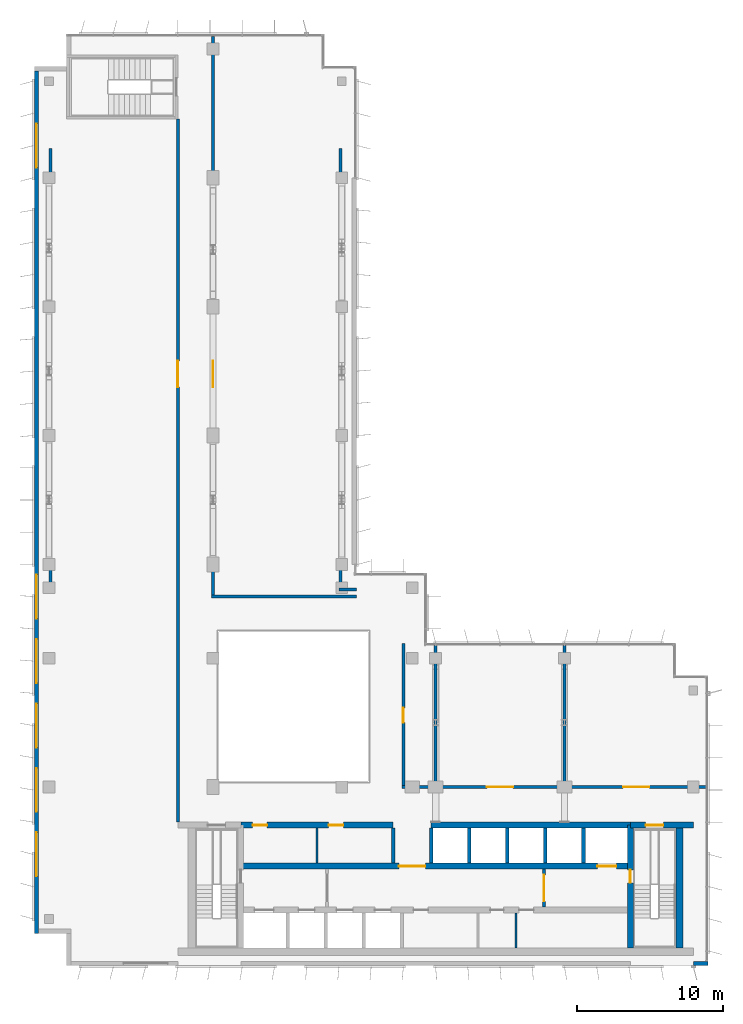
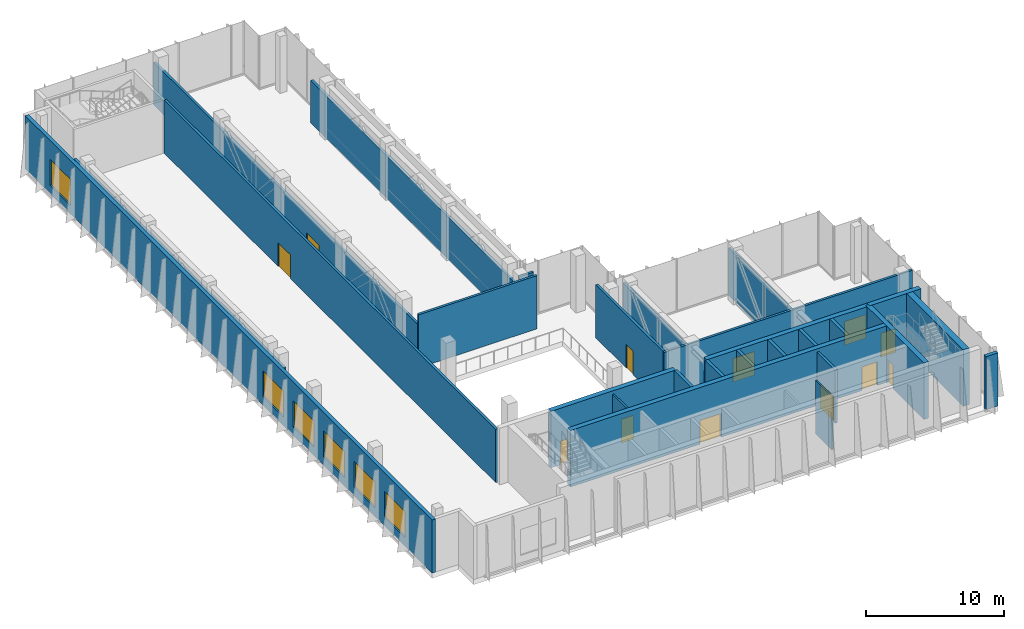
# One storey, part 8 of 13: 27 walls, 12 doors, 6 windows, 18 openings.
"""IFC4 building model written with IfcOpenShell, lengths in metres."""

from ifc_helpers import new_model, si_unit, direction, frame, frame_2d, origin, place, context, subcontext, project, spatial, rectangle, extrude, material, layer, layer_set, type_object, element, fill, save


model = new_model("IFC4")

# Units and contexts
model_context = context("Model", 3, precision=1e-05, world=origin(), true_north=direction((0.0, 1.0)))
body_context = subcontext(model_context, "Body", "Model", "MODEL_VIEW")
ifc_project = project(units=[si_unit("LENGTHUNIT", "METRE"), si_unit("AREAUNIT", "SQUARE_METRE"), si_unit("VOLUMEUNIT", "CUBIC_METRE"), si_unit("PLANEANGLEUNIT", "RADIAN"), si_unit("MASSUNIT", "GRAM", prefix="KILO")], contexts=[model_context])

# Site, building, storey
site_placement = place(None, origin())
site = spatial("IfcSite", under=ifc_project, at=site_placement, CompositionType="ELEMENT")
building_placement = place(site_placement, origin())
building = spatial("IfcBuilding", under=site, at=building_placement, Name="Kemantara Hotel Tower", CompositionType="ELEMENT")
storey_placement = place(building_placement, frame((0.0, 0.0, 256.10009765625)))
storey = spatial("IfcBuildingStorey", under=building, at=storey_placement, Name="L64", CompositionType="ELEMENT", Elevation=256.10009765625)

# Wall, openings, windows
ifc_material_1 = material(Name="Bronze anodised aluminium cladding on insulated steel stud wall", Category="steel")
ifc_layer_1 = layer(ifc_material_1, 0.300048828125)
ifc_layer_set_1 = layer_set([ifc_layer_1], Name="Bronze anodised aluminium cladding on insulated steel stud wall")
wall_type_1 = type_object("IfcWallType", Name="BRONZE METAL-CLAD EXTERNAL WALL 300", PredefinedType="STANDARD", material=ifc_layer_set_1)
wall_1_placement = place(storey_placement, frame((0.14990234375, 61.10009765625, 0.0), z_axis=(0.0, 0.0, 1.0), x_axis=(0.0, -1.0, 0.0)))
wall_1 = element("IfcWall", 1, at=wall_1_placement, inside=storey, type_object=wall_type_1, Name="EXTERNAL WALL L64 T4-R05", PredefinedType="STANDARD", context=body_context, shape_type="SweptSolid", body=[
    extrude(rectangle(XDim=58.900146484375, YDim=0.300048828125, at=frame_2d((29.4501953125, 0.0))), origin(), (0.0, 0.0, 1.0), 4.699951171875),
])
opening_1_placement = place(wall_1_placement, frame((3.60009765625, 0.0, 0.75)))
opening_1 = element("IfcOpeningElement", 2, at=opening_1_placement, cuts=wall_1, Name="Opening W1", PredefinedType="OPENING", context=body_context, shape_type="SweptSolid", body=[
    extrude(rectangle(XDim=3.0, YDim=2.300048828125, at=frame_2d((1.5, 1.14990234375))), frame((0.0, 0.159912109375, 0.0), z_axis=(0.0, -1.0, 0.0), x_axis=(1.0, 0.0, 0.0)), (0.0, 0.0, 1.0), 0.320068359375),
])
opening_2_placement = place(wall_1_placement, frame((34.39990234375, 0.0, 0.75)))
opening_2 = element("IfcOpeningElement", 3, at=opening_2_placement, cuts=wall_1, Name="Opening W1", PredefinedType="OPENING", context=body_context, shape_type="SweptSolid", body=[
    extrude(rectangle(XDim=3.0, YDim=2.300048828125, at=frame_2d((1.5, 1.14990234375))), frame((0.0, 0.159912109375, 0.0), z_axis=(0.0, -1.0, 0.0), x_axis=(1.0, 0.0, 0.0)), (0.0, 0.0, 1.0), 0.320068359375),
])
opening_3_placement = place(wall_1_placement, frame((38.800048828125, 0.0, 0.75)))
opening_3 = element("IfcOpeningElement", 4, at=opening_3_placement, cuts=wall_1, Name="Opening W1", PredefinedType="OPENING", context=body_context, shape_type="SweptSolid", body=[
    extrude(rectangle(XDim=3.0, YDim=2.300048828125, at=frame_2d((1.5, 1.14990234375))), frame((0.0, 0.159912109375, 0.0), z_axis=(0.0, -1.0, 0.0), x_axis=(1.0, 0.0, 0.0)), (0.0, 0.0, 1.0), 0.320068359375),
])
opening_4_placement = place(wall_1_placement, frame((43.199951171875, 0.0, 0.75)))
opening_4 = element("IfcOpeningElement", 5, at=opening_4_placement, cuts=wall_1, Name="Opening W1", PredefinedType="OPENING", context=body_context, shape_type="SweptSolid", body=[
    extrude(rectangle(XDim=3.0, YDim=2.300048828125, at=frame_2d((1.5, 1.14990234375))), frame((0.0, 0.159912109375, 0.0), z_axis=(0.0, -1.0, 0.0), x_axis=(1.0, 0.0, 0.0)), (0.0, 0.0, 1.0), 0.320068359375),
])
opening_5_placement = place(wall_1_placement, frame((47.60009765625, 0.0, 0.75)))
opening_5 = element("IfcOpeningElement", 6, at=opening_5_placement, cuts=wall_1, Name="Opening W1", PredefinedType="OPENING", context=body_context, shape_type="SweptSolid", body=[
    extrude(rectangle(XDim=3.0, YDim=2.300048828125, at=frame_2d((1.5, 1.14990234375))), frame((0.0, 0.159912109375, 0.0), z_axis=(0.0, -1.0, 0.0), x_axis=(1.0, 0.0, 0.0)), (0.0, 0.0, 1.0), 0.320068359375),
])
opening_6_placement = place(wall_1_placement, frame((52.0, 0.0, 0.75)))
opening_6 = element("IfcOpeningElement", 7, at=opening_6_placement, cuts=wall_1, Name="Opening W1", PredefinedType="OPENING", context=body_context, shape_type="SweptSolid", body=[
    extrude(rectangle(XDim=3.0, YDim=2.300048828125, at=frame_2d((1.5, 1.14990234375))), frame((0.0, 0.159912109375, 0.0), z_axis=(0.0, -1.0, 0.0), x_axis=(1.0, 0.0, 0.0)), (0.0, 0.0, 1.0), 0.320068359375),
])
ifc_material_2 = material(Name="Low-E tinted double insulated glass in bronze anodised aluminium frame", Category="aluminium")
window_type = type_object("IfcWindowType", Name="CHICAGO WINDOW, TRIPLE PANEL 3000x2300", PartitioningType="TRIPLE_PANEL_VERTICAL", PredefinedType="WINDOW", material=ifc_material_2)
window_1_placement = place(opening_1_placement, origin())
window_1 = element("IfcWindow", 8, at=window_1_placement, inside=storey, type_object=window_type, Name="CHICAGO WINDOW L64 T4-R05-54", OverallHeight=2.300048828125, OverallWidth=3.0, PartitioningType="SINGLE_PANEL", PredefinedType="WINDOW", context=body_context, shape_type="SweptSolid", body=[
    extrude(rectangle(XDim=3.0, YDim=2.300048828125, at=frame_2d((1.5, 1.14990234375))), frame((0.0, 0.030029296875, 0.0), z_axis=(0.0, -1.0, 0.0), x_axis=(1.0, 0.0, 0.0)), (0.0, 0.0, 1.0), 0.06005859375),
])
fill(opening_1, window_1)
window_2_placement = place(opening_2_placement, origin())
window_2 = element("IfcWindow", 9, at=window_2_placement, inside=storey, type_object=window_type, Name="CHICAGO WINDOW L64 T4-R05-362", OverallHeight=2.300048828125, OverallWidth=3.0, PartitioningType="SINGLE_PANEL", PredefinedType="WINDOW", context=body_context, shape_type="SweptSolid", body=[
    extrude(rectangle(XDim=3.0, YDim=2.300048828125, at=frame_2d((1.5, 1.14990234375))), frame((0.0, 0.030029296875, 0.0), z_axis=(0.0, -1.0, 0.0), x_axis=(1.0, 0.0, 0.0)), (0.0, 0.0, 1.0), 0.06005859375),
])
fill(opening_2, window_2)
window_3_placement = place(opening_3_placement, origin())
window_3 = element("IfcWindow", 10, at=window_3_placement, inside=storey, type_object=window_type, Name="CHICAGO WINDOW L64 T4-R05-406", OverallHeight=2.300048828125, OverallWidth=3.0, PartitioningType="SINGLE_PANEL", PredefinedType="WINDOW", context=body_context, shape_type="SweptSolid", body=[
    extrude(rectangle(XDim=3.0, YDim=2.300048828125, at=frame_2d((1.5, 1.14990234375))), frame((0.0, 0.030029296875, 0.0), z_axis=(0.0, -1.0, 0.0), x_axis=(1.0, 0.0, 0.0)), (0.0, 0.0, 1.0), 0.06005859375),
])
fill(opening_3, window_3)
window_4_placement = place(opening_4_placement, origin())
window_4 = element("IfcWindow", 11, at=window_4_placement, inside=storey, type_object=window_type, Name="CHICAGO WINDOW L64 T4-R05-450", OverallHeight=2.300048828125, OverallWidth=3.0, PartitioningType="SINGLE_PANEL", PredefinedType="WINDOW", context=body_context, shape_type="SweptSolid", body=[
    extrude(rectangle(XDim=3.0, YDim=2.300048828125, at=frame_2d((1.5, 1.14990234375))), frame((0.0, 0.030029296875, 0.0), z_axis=(0.0, -1.0, 0.0), x_axis=(1.0, 0.0, 0.0)), (0.0, 0.0, 1.0), 0.06005859375),
])
fill(opening_4, window_4)
window_5_placement = place(opening_5_placement, origin())
window_5 = element("IfcWindow", 12, at=window_5_placement, inside=storey, type_object=window_type, Name="CHICAGO WINDOW L64 T4-R05-494", OverallHeight=2.300048828125, OverallWidth=3.0, PartitioningType="SINGLE_PANEL", PredefinedType="WINDOW", context=body_context, shape_type="SweptSolid", body=[
    extrude(rectangle(XDim=3.0, YDim=2.300048828125, at=frame_2d((1.5, 1.14990234375))), frame((0.0, 0.030029296875, 0.0), z_axis=(0.0, -1.0, 0.0), x_axis=(1.0, 0.0, 0.0)), (0.0, 0.0, 1.0), 0.06005859375),
])
fill(opening_5, window_5)
window_6_placement = place(opening_6_placement, origin())
window_6 = element("IfcWindow", 13, at=window_6_placement, inside=storey, type_object=window_type, Name="CHICAGO WINDOW L64 T4-R05-538", OverallHeight=2.300048828125, OverallWidth=3.0, PartitioningType="SINGLE_PANEL", PredefinedType="WINDOW", context=body_context, shape_type="SweptSolid", body=[
    extrude(rectangle(XDim=3.0, YDim=2.300048828125, at=frame_2d((1.5, 1.14990234375))), frame((0.0, 0.030029296875, 0.0), z_axis=(0.0, -1.0, 0.0), x_axis=(1.0, 0.0, 0.0)), (0.0, 0.0, 1.0), 0.06005859375),
])
fill(opening_6, window_6)

# Walls
wall_2_placement = place(storey_placement, frame((45.0, 0.14990234375, 0.0), z_axis=(0.0, 0.0, 1.0), x_axis=(1.0, 0.0, 0.0)))
element("IfcWall", 14, at=wall_2_placement, inside=storey, type_object=wall_type_1, Name="EXTERNAL WALL L64 T4-R08-3", PredefinedType="STANDARD", context=body_context, shape_type="SweptSolid", body=[
    extrude(rectangle(XDim=1.0, YDim=0.300048828125, at=frame_2d((0.5, 0.0))), origin(), (0.0, 0.0, 1.0), 4.699951171875),
])
ifc_material_3 = material(Name="Concrete fc 60 MPa", Category="concrete")
ifc_layer_2 = layer(ifc_material_3, 0.25)
ifc_layer_set_2 = layer_set([ifc_layer_2], Name="Concrete fc 60 MPa")
wall_type_2 = type_object("IfcWallType", Name="CORE WALL 250 FC60", PredefinedType="SHEAR", material=ifc_layer_set_2)
for number, where, z_axis, x_axis, name in (
    (15, (24.5, 7.0, 0.0), (0.0, 0.0, 1.0), (0.0, 1.0, 0.0), "CORE WALL CW-DN24.5"),
    (16, (27.10009765625, 7.0, 0.0), (0.0, 0.0, 1.0), (0.0, 1.0, 0.0), "CORE WALL CW-DN27.1"),
    (17, (29.699951171875, 7.0, 0.0), (0.0, 0.0, 1.0), (0.0, 1.0, 0.0), "CORE WALL CW-DN29.7"),
    (18, (32.300048828125, 7.0, 0.0), (0.0, 0.0, 1.0), (0.0, 1.0, 0.0), "CORE WALL CW-DN32.3"),
    (19, (34.89990234375, 7.0, 0.0), (0.0, 0.0, 1.0), (0.0, 1.0, 0.0), "CORE WALL CW-DN34.9"),
    (20, (37.5, 7.0, 0.0), (0.0, 0.0, 1.0), (0.0, 1.0, 0.0), "CORE WALL CW-DN37.5"),
):
    element("IfcWall", number, at=place(storey_placement, frame(where, z_axis=z_axis, x_axis=x_axis)), inside=storey, type_object=wall_type_2, Name=name, PredefinedType="SHEAR", context=body_context, shape_type="SweptSolid", body=[
        extrude(rectangle(XDim=2.39990234375, YDim=0.25, at=frame_2d((1.199951171875, 0.0))), origin(), (0.0, 0.0, 1.0), 5.0),
    ])

# Wall, opening, door
ifc_layer_3 = layer(ifc_material_3, 0.39990234375)
ifc_layer_set_3 = layer_set([ifc_layer_3], Name="Concrete fc 60 MPa")
wall_type_3 = type_object("IfcWallType", Name="CORE WALL 400 FC60", PredefinedType="SHEAR", material=ifc_layer_set_3)
wall_3_placement = place(storey_placement, frame((40.699951171875, 9.60009765625, 0.0), z_axis=(0.0, 0.0, 1.0), x_axis=(1.0, 0.0, 0.0)))
wall_3 = element("IfcWall", 21, at=wall_3_placement, inside=storey, type_object=wall_type_3, Name="CORE WALL CW-N2", PredefinedType="SHEAR", context=body_context, shape_type="SweptSolid", body=[
    extrude(rectangle(XDim=4.300048828125, YDim=0.39990234375, at=frame_2d((2.14990234375, 0.0))), origin(), (0.0, 0.0, 1.0), 5.0),
])
opening_7_placement = place(wall_3_placement, frame((1.050048828125, 0.0, 0.0)))
opening_7 = element("IfcOpeningElement", 22, at=opening_7_placement, cuts=wall_3, Name="Opening C38-ST2-C", PredefinedType="OPENING", context=body_context, shape_type="SweptSolid", body=[
    extrude(rectangle(XDim=1.199951171875, YDim=2.10009765625, at=frame_2d((0.60009765625, 1.050048828125))), frame((0.0, 0.2099609375, 0.0), z_axis=(0.0, -1.0, 0.0), x_axis=(1.0, 0.0, 0.0)), (0.0, 0.0, 1.0), 0.419921875),
])
ifc_material_4 = material(Name="Steel fire door", Category="steel")
door_type_1 = type_object("IfcDoorType", Name="Fire door FD90 1200 x 2100", OperationType="NOTDEFINED", PredefinedType="DOOR", material=ifc_material_4)
door_1_placement = place(opening_7_placement, frame((1.199951171875, 0.0, 0.0), z_axis=(0.0, 0.0, 1.0), x_axis=(-1.0, 0.0, 0.0)))
door_1 = element("IfcDoor", 23, at=door_1_placement, inside=storey, type_object=door_type_1, Name="Stair ST2 door to corridor", OperationType="SINGLE_SWING_RIGHT", OverallHeight=2.10009765625, OverallWidth=1.199951171875, PredefinedType="DOOR", context=body_context, shape_type="SweptSolid", body=[
    extrude(rectangle(XDim=1.199951171875, YDim=2.10009765625, at=frame_2d((0.60009765625, 1.050048828125))), frame((0.0, 0.02490234375, 0.0), z_axis=(0.0, -1.0, 0.0), x_axis=(1.0, 0.0, 0.0)), (0.0, 0.0, 1.0), 0.050048828125),
])
fill(opening_7, door_1)

# Wall, openings, doors
wall_4_placement = place(storey_placement, frame((14.10009765625, 9.60009765625, 0.0), z_axis=(0.0, 0.0, 1.0), x_axis=(1.0, 0.0, 0.0)))
wall_4 = element("IfcWall", 24, at=wall_4_placement, inside=storey, type_object=wall_type_3, Name="CORE WALL CW-NN1", PredefinedType="SHEAR", context=body_context, shape_type="SweptSolid", body=[
    extrude(rectangle(XDim=10.39990234375, YDim=0.39990234375, at=frame_2d((5.199951171875, 0.0))), origin(), (0.0, 0.0, 1.0), 5.0),
])
opening_8_placement = place(wall_4_placement, frame((0.800048828125, 0.0, 0.0)))
opening_8 = element("IfcOpeningElement", 25, at=opening_8_placement, cuts=wall_4, Name="Opening C38-R-NW1", PredefinedType="OPENING", context=body_context, shape_type="SweptSolid", body=[
    extrude(rectangle(XDim=1.0, YDim=2.10009765625, at=frame_2d((0.5, 1.050048828125))), frame((0.0, 0.2099609375, 0.0), z_axis=(0.0, -1.0, 0.0), x_axis=(1.0, 0.0, 0.0)), (0.0, 0.0, 1.0), 0.419921875),
])
opening_9_placement = place(wall_4_placement, frame((6.0, 0.0, 0.0)))
opening_9 = element("IfcOpeningElement", 26, at=opening_9_placement, cuts=wall_4, Name="Opening C38-R-NW2", PredefinedType="OPENING", context=body_context, shape_type="SweptSolid", body=[
    extrude(rectangle(XDim=1.0, YDim=2.10009765625, at=frame_2d((0.5, 1.050048828125))), frame((0.0, 0.2099609375, 0.0), z_axis=(0.0, -1.0, 0.0), x_axis=(1.0, 0.0, 0.0)), (0.0, 0.0, 1.0), 0.419921875),
])
door_type_2 = type_object("IfcDoorType", Name="Fire door FD60 1000 x 2100", OperationType="NOTDEFINED", PredefinedType="DOOR", material=ifc_material_4)
door_2_placement = place(opening_8_placement, frame((1.0, 0.0, 0.0), z_axis=(0.0, 0.0, 1.0), x_axis=(-1.0, 0.0, 0.0)))
door_2 = element("IfcDoor", 27, at=door_2_placement, inside=storey, type_object=door_type_2, Name="Air Handling Plant Room door", OperationType="SINGLE_SWING_RIGHT", OverallHeight=2.10009765625, OverallWidth=1.0, PredefinedType="DOOR", context=body_context, shape_type="SweptSolid", body=[
    extrude(rectangle(XDim=1.0, YDim=2.10009765625, at=frame_2d((0.5, 1.050048828125))), frame((0.0, 0.02490234375, 0.0), z_axis=(0.0, -1.0, 0.0), x_axis=(1.0, 0.0, 0.0)), (0.0, 0.0, 1.0), 0.050048828125),
])
fill(opening_8, door_2)
door_3_placement = place(opening_9_placement, frame((1.0, 0.0, 0.0), z_axis=(0.0, 0.0, 1.0), x_axis=(-1.0, 0.0, 0.0)))
door_3 = element("IfcDoor", 28, at=door_3_placement, inside=storey, type_object=door_type_2, Name="Chilled Water Plant Room door", OperationType="SINGLE_SWING_LEFT", OverallHeight=2.10009765625, OverallWidth=1.0, PredefinedType="DOOR", context=body_context, shape_type="SweptSolid", body=[
    extrude(rectangle(XDim=1.0, YDim=2.10009765625, at=frame_2d((0.5, 1.050048828125))), frame((0.0, 0.02490234375, 0.0), z_axis=(0.0, -1.0, 0.0), x_axis=(1.0, 0.0, 0.0)), (0.0, 0.0, 1.0), 0.050048828125),
])
fill(opening_9, door_3)

# Wall
wall_5_placement = place(storey_placement, frame((27.10009765625, 9.60009765625, 0.0), z_axis=(0.0, 0.0, 1.0), x_axis=(1.0, 0.0, 0.0)))
element("IfcWall", 29, at=wall_5_placement, inside=storey, type_object=wall_type_3, Name="CORE WALL CW-NN2", PredefinedType="SHEAR", context=body_context, shape_type="SweptSolid", body=[
    extrude(rectangle(XDim=13.599853515625, YDim=0.39990234375, at=frame_2d((6.7998046875, 0.0))), origin(), (0.0, 0.0, 1.0), 5.0),
])

# Wall, openings, doors
wall_6_placement = place(storey_placement, frame((14.10009765625, 6.800048828125, 0.0), z_axis=(0.0, 0.0, 1.0), x_axis=(1.0, 0.0, 0.0)))
wall_6 = element("IfcWall", 30, at=wall_6_placement, inside=storey, type_object=wall_type_3, Name="CORE WALL CW-L2", PredefinedType="SHEAR", context=body_context, shape_type="SweptSolid", body=[
    extrude(rectangle(XDim=26.599853515625, YDim=0.39990234375, at=frame_2d((13.2998046875, 0.0))), origin(), (0.0, 0.0, 1.0), 5.0),
])
opening_10_placement = place(wall_6_placement, frame((10.800048828125, 0.0, 0.0)))
opening_10 = element("IfcOpeningElement", 31, at=opening_10_placement, cuts=wall_6, Name="Opening C38-VL", PredefinedType="OPENING", context=body_context, shape_type="SweptSolid", body=[
    extrude(rectangle(XDim=1.800048828125, YDim=2.10009765625, at=frame_2d((0.89990234375, 1.050048828125))), frame((0.0, 0.2099609375, 0.0), z_axis=(0.0, -1.0, 0.0), x_axis=(1.0, 0.0, 0.0)), (0.0, 0.0, 1.0), 0.419921875),
])
opening_11_placement = place(wall_6_placement, frame((24.35009765625, 0.0, 0.0)))
opening_11 = element("IfcOpeningElement", 32, at=opening_11_placement, cuts=wall_6, Name="Opening C38-LD-FF2", PredefinedType="OPENING", context=body_context, shape_type="SweptSolid", body=[
    extrude(rectangle(XDim=1.300048828125, YDim=2.10009765625, at=frame_2d((0.64990234375, 1.050048828125))), frame((0.0, 0.2099609375, 0.0), z_axis=(0.0, -1.0, 0.0), x_axis=(1.0, 0.0, 0.0)), (0.0, 0.0, 1.0), 0.419921875),
])
door_type_3 = type_object("IfcDoorType", Name="Fire door pair FD60 1800 x 2100", OperationType="DOUBLE_DOOR_SINGLE_SWING", PredefinedType="DOOR", material=ifc_material_4)
door_4_placement = place(opening_10_placement, frame((1.800048828125, 0.0, 0.0), z_axis=(0.0, 0.0, 1.0), x_axis=(-1.0, 0.0, 0.0)))
door_4 = element("IfcDoor", 33, at=door_4_placement, inside=storey, type_object=door_type_3, Name="Lift lobby entry door", OperationType="DOUBLE_DOOR_SINGLE_SWING", OverallHeight=2.10009765625, OverallWidth=1.800048828125, PredefinedType="DOOR", context=body_context, shape_type="SweptSolid", body=[
    extrude(rectangle(XDim=1.800048828125, YDim=2.10009765625, at=frame_2d((0.89990234375, 1.050048828125))), frame((0.0, 0.02490234375, 0.0), z_axis=(0.0, -1.0, 0.0), x_axis=(1.0, 0.0, 0.0)), (0.0, 0.0, 1.0), 0.050048828125),
])
fill(opening_10, door_4)
ifc_material_5 = material(Name="Stainless steel lift door", Category="steel")
door_type_4 = type_object("IfcDoorType", Name="Lift landing door 1300 x 2100 FD90", OperationType="DOUBLE_DOOR_SLIDING", PredefinedType="DOOR", material=ifc_material_5)
door_5_placement = place(opening_11_placement, origin())
door_5 = element("IfcDoor", 34, at=door_5_placement, inside=storey, type_object=door_type_4, Name="Lift FF2 landing door", OperationType="DOUBLE_DOOR_SLIDING", OverallHeight=2.10009765625, OverallWidth=1.300048828125, PredefinedType="DOOR", context=body_context, shape_type="SweptSolid", body=[
    extrude(rectangle(XDim=1.300048828125, YDim=2.10009765625, at=frame_2d((0.64990234375, 1.050048828125))), frame((0.0, 0.02490234375, 0.0), z_axis=(0.0, -1.0, 0.0), x_axis=(1.0, 0.0, 0.0)), (0.0, 0.0, 1.0), 0.050048828125),
])
fill(opening_11, door_5)

# Wall, opening, door
wall_7_placement = place(storey_placement, frame((40.699951171875, 1.199951171875, 0.0), z_axis=(0.0, 0.0, 1.0), x_axis=(0.0, 1.0, 0.0)))
wall_7 = element("IfcWall", 35, at=wall_7_placement, inside=storey, type_object=wall_type_3, Name="CORE WALL CW-ST2W", PredefinedType="SHEAR", context=body_context, shape_type="SweptSolid", body=[
    extrude(rectangle(XDim=8.400146484375, YDim=0.39990234375, at=frame_2d((4.2001953125, 0.0))), origin(), (0.0, 0.0, 1.0), 5.0),
])
opening_12_placement = place(wall_7_placement, frame((4.449951171875, 0.0, 0.0)))
opening_12 = element("IfcOpeningElement", 36, at=opening_12_placement, cuts=wall_7, Name="Opening C38-ST2-F", PredefinedType="OPENING", context=body_context, shape_type="SweptSolid", body=[
    extrude(rectangle(XDim=0.89990234375, YDim=2.10009765625, at=frame_2d((0.449951171875, 1.050048828125))), frame((0.0, 0.2099609375, 0.0), z_axis=(0.0, -1.0, 0.0), x_axis=(1.0, 0.0, 0.0)), (0.0, 0.0, 1.0), 0.419921875),
])
door_type_5 = type_object("IfcDoorType", Name="Fire door FD90 900 x 2100", OperationType="NOTDEFINED", PredefinedType="DOOR", material=ifc_material_4)
door_6_placement = place(opening_12_placement, frame((0.89990234375, 0.0, 0.0), z_axis=(0.0, 0.0, 1.0), x_axis=(-1.0, 0.0, 0.0)))
door_6 = element("IfcDoor", 37, at=door_6_placement, inside=storey, type_object=door_type_5, Name="Stair ST2 door to firefighting lobby", OperationType="SINGLE_SWING_LEFT", OverallHeight=2.10009765625, OverallWidth=0.89990234375, PredefinedType="DOOR", context=body_context, shape_type="SweptSolid", body=[
    extrude(rectangle(XDim=0.89990234375, YDim=2.10009765625, at=frame_2d((0.449951171875, 1.050048828125))), frame((0.0, 0.02490234375, 0.0), z_axis=(0.0, -1.0, 0.0), x_axis=(1.0, 0.0, 0.0)), (0.0, 0.0, 1.0), 0.050048828125),
])
fill(opening_12, door_6)

# Walls
ifc_layer_4 = layer(ifc_material_3, 0.5)
ifc_layer_set_4 = layer_set([ifc_layer_4], Name="Concrete fc 60 MPa")
wall_type_4 = type_object("IfcWallType", Name="CORE WALL 500 FC60", PredefinedType="SHEAR", material=ifc_layer_set_4)
wall_8_placement = place(storey_placement, frame((44.050048828125, 1.199951171875, 0.0), z_axis=(0.0, 0.0, 1.0), x_axis=(0.0, 1.0, 0.0)))
element("IfcWall", 38, at=wall_8_placement, inside=storey, type_object=wall_type_4, Name="CORE WALL CW-E", PredefinedType="SHEAR", context=body_context, shape_type="SweptSolid", body=[
    extrude(rectangle(XDim=8.60009765625, YDim=0.5, at=frame_2d((4.300048828125, 0.0))), origin(), (0.0, 0.0, 1.0), 5.0),
])
ifc_material_6 = material(Name="Clay brick masonry", Category="masonry")
ifc_layer_5 = layer(ifc_material_6, 0.199951171875)
ifc_layer_set_5 = layer_set([ifc_layer_5], Name="Clay brick masonry")
wall_type_5 = type_object("IfcWallType", Name="FIRE-RATED CLAY BRICK WALL 200 EI 120", PredefinedType="PARTITIONING", material=ifc_layer_set_5)
wall_9_placement = place(storey_placement, frame((20.800048828125, 25.699951171875, 0.0), z_axis=(0.0, 0.0, 1.0), x_axis=(1.0, 0.0, 0.0)))
element("IfcWall", 39, at=wall_9_placement, inside=storey, type_object=wall_type_5, Name="FIRE WALL", PredefinedType="PARTITIONING", context=body_context, shape_type="SweptSolid", body=[
    extrude(rectangle(XDim=1.199951171875, YDim=0.199951171875, at=frame_2d((0.60009765625, 0.0))), origin(), (0.0, 0.0, 1.0), 4.699951171875),
])
for number, where, z_axis, x_axis, name in (
    (40, (27.39990234375, 12.300048828125, 0.0), (0.0, 0.0, 1.0), (0.0, 1.0, 0.0), "FIRE WALL"),
    (41, (36.199951171875, 12.300048828125, 0.0), (0.0, 0.0, 1.0), (0.0, 1.0, 0.0), "FIRE WALL"),
):
    element("IfcWall", number, at=place(storey_placement, frame(where, z_axis=z_axis, x_axis=x_axis)), inside=storey, type_object=wall_type_5, Name=name, PredefinedType="PARTITIONING", context=body_context, shape_type="SweptSolid", body=[
        extrude(rectangle(XDim=9.550048828125, YDim=0.199951171875, at=frame_2d((4.77490234375, 0.0))), origin(), (0.0, 0.0, 1.0), 4.18701171875),
    ])
wall_10_placement = place(storey_placement, frame((20.89990234375, 25.800048828125, 0.0), z_axis=(0.0, 0.0, 1.0), x_axis=(0.0, 1.0, 0.0)))
element("IfcWall", 42, at=wall_10_placement, inside=storey, type_object=wall_type_5, Name="FIRE WALL", PredefinedType="PARTITIONING", context=body_context, shape_type="SweptSolid", body=[
    extrude(rectangle(XDim=30.0, YDim=0.199951171875, at=frame_2d((15.0, 0.0))), origin(), (0.0, 0.0, 1.0), 3.7529296875),
])
wall_11_placement = place(storey_placement, frame((1.10009765625, 25.39990234375, 0.0), z_axis=(0.0, 0.0, 1.0), x_axis=(0.0, 1.0, 0.0)))
element("IfcWall", 43, at=wall_11_placement, inside=storey, type_object=wall_type_5, Name="FIRE WALL", PredefinedType="PARTITIONING", context=body_context, shape_type="SweptSolid", body=[
    extrude(rectangle(XDim=30.400146484375, YDim=0.199951171875, at=frame_2d((15.2001953125, 0.0))), origin(), (0.0, 0.0, 1.0), 3.7529296875),
])
ifc_material_7 = material(Name="Fire-rated gypsum board partition")
ifc_layer_6 = layer(ifc_material_7, 0.199951171875)
ifc_layer_set_6 = layer_set([ifc_layer_6], Name="Fire-rated gypsum board partition")
wall_type_6 = type_object("IfcWallType", Name="FIRE-RATED GYPSUM PARTITION 200 EI 60", PredefinedType="PARTITIONING", material=ifc_layer_set_6)
wall_12_placement = place(storey_placement, frame((12.10009765625, 25.199951171875, 0.0), z_axis=(0.0, 0.0, 1.0), x_axis=(1.0, 0.0, 0.0)))
element("IfcWall", 44, at=wall_12_placement, inside=storey, type_object=wall_type_6, Name="FIRE-RATED PARTITION", PredefinedType="PARTITIONING", context=body_context, shape_type="SweptSolid", body=[
    extrude(rectangle(XDim=9.89990234375, YDim=0.199951171875, at=frame_2d((4.949951171875, 0.0))), origin(), (0.0, 0.0, 1.0), 4.699951171875),
])

# Wall, openings, doors
wall_13_placement = place(storey_placement, frame((25.10009765625, 12.199951171875, 0.0), z_axis=(0.0, 0.0, 1.0), x_axis=(1.0, 0.0, 0.0)))
wall_13 = element("IfcWall", 45, at=wall_13_placement, inside=storey, type_object=wall_type_6, Name="FIRE-RATED PARTITION", PredefinedType="PARTITIONING", context=body_context, shape_type="SweptSolid", body=[
    extrude(rectangle(XDim=20.75, YDim=0.199951171875, at=frame_2d((10.375, 0.0))), origin(), (0.0, 0.0, 1.0), 4.699951171875),
])
opening_13_placement = place(wall_13_placement, frame((5.800048828125, 0.0, 0.0)))
opening_13 = element("IfcOpeningElement", 46, at=opening_13_placement, cuts=wall_13, Name="Opening L64-B002", PredefinedType="OPENING", context=body_context, shape_type="SweptSolid", body=[
    extrude(rectangle(XDim=1.800048828125, YDim=2.10009765625, at=frame_2d((0.89990234375, 1.050048828125))), frame((0.0, 0.10986328125, 0.0), z_axis=(0.0, -1.0, 0.0), x_axis=(1.0, 0.0, 0.0)), (0.0, 0.0, 1.0), 0.219970703125),
])
opening_14_placement = place(wall_13_placement, frame((15.10009765625, 0.0, 0.0)))
opening_14 = element("IfcOpeningElement", 47, at=opening_14_placement, cuts=wall_13, Name="Opening L64-B003", PredefinedType="OPENING", context=body_context, shape_type="SweptSolid", body=[
    extrude(rectangle(XDim=1.800048828125, YDim=2.10009765625, at=frame_2d((0.89990234375, 1.050048828125))), frame((0.0, 0.10986328125, 0.0), z_axis=(0.0, -1.0, 0.0), x_axis=(1.0, 0.0, 0.0)), (0.0, 0.0, 1.0), 0.219970703125),
])
ifc_material_8 = material(Name="Galvanised steel door leaf", Category="steel")
door_type_6 = type_object("IfcDoorType", Name="FIRE-RATED STEEL DOOR DOUBLE LEAF 1800 X 2100", OperationType="DOUBLE_DOOR_SINGLE_SWING", PredefinedType="DOOR", material=ifc_material_8)
door_7_placement = place(opening_13_placement, frame((1.800048828125, 0.0, 0.0), z_axis=(0.0, 0.0, 1.0), x_axis=(-1.0, 0.0, 0.0)))
door_7 = element("IfcDoor", 48, at=door_7_placement, inside=storey, type_object=door_type_6, Name="FIRE-RATED STEEL DOOR DOUBLE LEAF", OperationType="DOUBLE_DOOR_SINGLE_SWING", OverallHeight=2.10009765625, OverallWidth=1.800048828125, PredefinedType="DOOR", context=body_context, shape_type="SweptSolid", body=[
    extrude(rectangle(XDim=1.800048828125, YDim=2.10009765625, at=frame_2d((0.89990234375, 1.050048828125))), frame((0.0, 0.02490234375, 0.0), z_axis=(0.0, -1.0, 0.0), x_axis=(1.0, 0.0, 0.0)), (0.0, 0.0, 1.0), 0.050048828125),
])
fill(opening_13, door_7)
door_8_placement = place(opening_14_placement, frame((1.800048828125, 0.0, 0.0), z_axis=(0.0, 0.0, 1.0), x_axis=(-1.0, 0.0, 0.0)))
door_8 = element("IfcDoor", 49, at=door_8_placement, inside=storey, type_object=door_type_6, Name="FIRE-RATED STEEL DOOR DOUBLE LEAF", OperationType="DOUBLE_DOOR_SINGLE_SWING", OverallHeight=2.10009765625, OverallWidth=1.800048828125, PredefinedType="DOOR", context=body_context, shape_type="SweptSolid", body=[
    extrude(rectangle(XDim=1.800048828125, YDim=2.10009765625, at=frame_2d((0.89990234375, 1.050048828125))), frame((0.0, 0.02490234375, 0.0), z_axis=(0.0, -1.0, 0.0), x_axis=(1.0, 0.0, 0.0)), (0.0, 0.0, 1.0), 0.050048828125),
])
fill(opening_14, door_8)

# Wall, opening, door
wall_14_placement = place(storey_placement, frame((25.199951171875, 12.300048828125, 0.0), z_axis=(0.0, 0.0, 1.0), x_axis=(0.0, 1.0, 0.0)))
wall_14 = element("IfcWall", 50, at=wall_14_placement, inside=storey, type_object=wall_type_6, Name="FIRE-RATED PARTITION", PredefinedType="PARTITIONING", context=body_context, shape_type="SweptSolid", body=[
    extrude(rectangle(XDim=9.699951171875, YDim=0.199951171875, at=frame_2d((4.85009765625, 0.0))), origin(), (0.0, 0.0, 1.0), 4.699951171875),
])
opening_15_placement = place(wall_14_placement, frame((4.300048828125, 0.0, 0.0)))
opening_15 = element("IfcOpeningElement", 51, at=opening_15_placement, cuts=wall_14, Name="Opening L64-B001", PredefinedType="OPENING", context=body_context, shape_type="SweptSolid", body=[
    extrude(rectangle(XDim=1.0, YDim=2.10009765625, at=frame_2d((0.5, 1.050048828125))), frame((0.0, 0.10986328125, 0.0), z_axis=(0.0, -1.0, 0.0), x_axis=(1.0, 0.0, 0.0)), (0.0, 0.0, 1.0), 0.219970703125),
])
door_type_7 = type_object("IfcDoorType", Name="FIRE-RATED STEEL DOOR 1000 X 2100", OperationType="SINGLE_SWING_LEFT", PredefinedType="DOOR", material=ifc_material_8)
door_9_placement = place(opening_15_placement, frame((1.0, 0.0, 0.0), z_axis=(0.0, 0.0, 1.0), x_axis=(-1.0, 0.0, 0.0)))
door_9 = element("IfcDoor", 52, at=door_9_placement, inside=storey, type_object=door_type_7, Name="FIRE-RATED STEEL DOOR", OperationType="SINGLE_SWING_RIGHT", OverallHeight=2.10009765625, OverallWidth=1.0, PredefinedType="DOOR", context=body_context, shape_type="SweptSolid", body=[
    extrude(rectangle(XDim=1.0, YDim=2.10009765625, at=frame_2d((0.5, 1.050048828125))), frame((0.0, 0.02490234375, 0.0), z_axis=(0.0, -1.0, 0.0), x_axis=(1.0, 0.0, 0.0)), (0.0, 0.0, 1.0), 0.050048828125),
])
fill(opening_15, door_9)

wall_15_placement = place(storey_placement, frame((9.800048828125, 9.800048828125, 0.0), z_axis=(0.0, 0.0, 1.0), x_axis=(0.0, 1.0, 0.0)))
wall_15 = element("IfcWall", 53, at=wall_15_placement, inside=storey, type_object=wall_type_6, Name="FIRE-RATED PARTITION", PredefinedType="PARTITIONING", context=body_context, shape_type="SweptSolid", body=[
    extrude(rectangle(XDim=48.0, YDim=0.199951171875, at=frame_2d((24.0, 0.0))), origin(), (0.0, 0.0, 1.0), 4.699951171875),
])
opening_16_placement = place(wall_15_placement, frame((29.699951171875, 0.0, 0.0)))
opening_16 = element("IfcOpeningElement", 54, at=opening_16_placement, cuts=wall_15, Name="Opening L64-B005", PredefinedType="OPENING", context=body_context, shape_type="SweptSolid", body=[
    extrude(rectangle(XDim=1.800048828125, YDim=2.10009765625, at=frame_2d((0.89990234375, 1.050048828125))), frame((0.0, 0.10986328125, 0.0), z_axis=(0.0, -1.0, 0.0), x_axis=(1.0, 0.0, 0.0)), (0.0, 0.0, 1.0), 0.219970703125),
])
door_10_placement = place(opening_16_placement, frame((1.800048828125, 0.0, 0.0), z_axis=(0.0, 0.0, 1.0), x_axis=(-1.0, 0.0, 0.0)))
door_10 = element("IfcDoor", 55, at=door_10_placement, inside=storey, type_object=door_type_6, Name="FIRE-RATED STEEL DOOR DOUBLE LEAF", OperationType="DOUBLE_DOOR_SINGLE_SWING", OverallHeight=2.10009765625, OverallWidth=1.800048828125, PredefinedType="DOOR", context=body_context, shape_type="SweptSolid", body=[
    extrude(rectangle(XDim=1.800048828125, YDim=2.10009765625, at=frame_2d((0.89990234375, 1.050048828125))), frame((0.0, 0.02490234375, 0.0), z_axis=(0.0, -1.0, 0.0), x_axis=(1.0, 0.0, 0.0)), (0.0, 0.0, 1.0), 0.050048828125),
])
fill(opening_16, door_10)

wall_16_placement = place(storey_placement, frame((12.199951171875, 25.300048828125, 0.0), z_axis=(0.0, 0.0, 1.0), x_axis=(0.0, 1.0, 0.0)))
wall_16 = element("IfcWall", 56, at=wall_16_placement, inside=storey, type_object=wall_type_6, Name="FIRE-RATED PARTITION", PredefinedType="PARTITIONING", context=body_context, shape_type="SweptSolid", body=[
    extrude(rectangle(XDim=38.14990234375, YDim=0.199951171875, at=frame_2d((19.074951171875, 0.0))), origin(), (0.0, 0.0, 1.0), 3.7529296875),
])
opening_17_placement = place(wall_16_placement, frame((14.199951171875, 0.0, 0.0)))
opening_17 = element("IfcOpeningElement", 57, at=opening_17_placement, cuts=wall_16, Name="Opening L64-B004", PredefinedType="OPENING", context=body_context, shape_type="SweptSolid", body=[
    extrude(rectangle(XDim=1.800048828125, YDim=2.10009765625, at=frame_2d((0.89990234375, 1.050048828125))), frame((0.0, 0.10986328125, 0.0), z_axis=(0.0, -1.0, 0.0), x_axis=(1.0, 0.0, 0.0)), (0.0, 0.0, 1.0), 0.219970703125),
])
door_11_placement = place(opening_17_placement, origin())
door_11 = element("IfcDoor", 58, at=door_11_placement, inside=storey, type_object=door_type_6, Name="FIRE-RATED STEEL DOOR DOUBLE LEAF", OperationType="DOUBLE_DOOR_SINGLE_SWING", OverallHeight=2.10009765625, OverallWidth=1.800048828125, PredefinedType="DOOR", context=body_context, shape_type="SweptSolid", body=[
    extrude(rectangle(XDim=1.800048828125, YDim=2.10009765625, at=frame_2d((0.89990234375, 1.050048828125))), frame((0.0, 0.02490234375, 0.0), z_axis=(0.0, -1.0, 0.0), x_axis=(1.0, 0.0, 0.0)), (0.0, 0.0, 1.0), 0.050048828125),
])
fill(opening_17, door_11)

# Walls
ifc_material_9 = material(Name="Gypsum board partition")
ifc_layer_7 = layer(ifc_material_9, 0.14990234375)
ifc_layer_set_7 = layer_set([ifc_layer_7], Name="Gypsum board partition")
wall_type_7 = type_object("IfcWallType", Name="Gypsum board partition 150 mm", PredefinedType="PARTITIONING", material=ifc_layer_set_7)
wall_17_placement = place(storey_placement, frame((19.300048828125, 7.0, 0.0), z_axis=(0.0, 0.0, 1.0), x_axis=(0.0, 1.0, 0.0)))
element("IfcWall", 59, at=wall_17_placement, inside=storey, type_object=wall_type_7, Name="Core room partition", PredefinedType="PARTITIONING", context=body_context, shape_type="SweptSolid", body=[
    extrude(rectangle(XDim=2.39990234375, YDim=0.14990234375, at=frame_2d((1.199951171875, 0.0))), origin(), (0.0, 0.0, 1.0), 4.699951171875),
])
wall_18_placement = place(storey_placement, frame((32.89990234375, 1.199951171875, 0.0), z_axis=(0.0, 0.0, 1.0), x_axis=(0.0, 1.0, 0.0)))
element("IfcWall", 60, at=wall_18_placement, inside=storey, type_object=wall_type_7, Name="Core room partition", PredefinedType="PARTITIONING", context=body_context, shape_type="SweptSolid", body=[
    extrude(rectangle(XDim=2.400146484375, YDim=0.14990234375, at=frame_2d((1.2001953125, 0.0))), origin(), (0.0, 0.0, 1.0), 4.699951171875),
])

# Wall, opening, door
ifc_material_10 = material(Name="Gypsum board shaft wall")
ifc_layer_8 = layer(ifc_material_10, 0.199951171875)
ifc_layer_set_8 = layer_set([ifc_layer_8], Name="Gypsum board shaft wall")
wall_type_8 = type_object("IfcWallType", Name="Gypsum board shaft wall 200 mm", PredefinedType="PARTITIONING", material=ifc_layer_set_8)
wall_19_placement = place(storey_placement, frame((34.800048828125, 4.0, 0.0), z_axis=(0.0, 0.0, 1.0), x_axis=(0.0, 1.0, 0.0)))
wall_19 = element("IfcWall", 61, at=wall_19_placement, inside=storey, type_object=wall_type_8, Name="Firefighting lobby partition east", PredefinedType="PARTITIONING", context=body_context, shape_type="SweptSolid", body=[
    extrude(rectangle(XDim=2.60009765625, YDim=0.199951171875, at=frame_2d((1.300048828125, 0.0))), origin(), (0.0, 0.0, 1.0), 4.699951171875),
])
opening_18_placement = place(wall_19_placement, frame((0.39990234375, 0.0, 0.0)))
opening_18 = element("IfcOpeningElement", 62, at=opening_18_placement, cuts=wall_19, Name="Opening C38-FFE", PredefinedType="OPENING", context=body_context, shape_type="SweptSolid", body=[
    extrude(rectangle(XDim=1.800048828125, YDim=2.10009765625, at=frame_2d((0.89990234375, 1.050048828125))), frame((0.0, 0.10986328125, 0.0), z_axis=(0.0, -1.0, 0.0), x_axis=(1.0, 0.0, 0.0)), (0.0, 0.0, 1.0), 0.219970703125),
])
door_12_placement = place(opening_18_placement, frame((1.800048828125, 0.0, 0.0), z_axis=(0.0, 0.0, 1.0), x_axis=(-1.0, 0.0, 0.0)))
door_12 = element("IfcDoor", 63, at=door_12_placement, inside=storey, type_object=door_type_3, Name="Firefighting lobby door east", OperationType="DOUBLE_DOOR_SINGLE_SWING", OverallHeight=2.10009765625, OverallWidth=1.800048828125, PredefinedType="DOOR", context=body_context, shape_type="SweptSolid", body=[
    extrude(rectangle(XDim=1.800048828125, YDim=2.10009765625, at=frame_2d((0.89990234375, 1.050048828125))), frame((0.0, 0.02490234375, 0.0), z_axis=(0.0, -1.0, 0.0), x_axis=(1.0, 0.0, 0.0)), (0.0, 0.0, 1.0), 0.050048828125),
])
fill(opening_18, door_12)

save(model, "model.ifc")
